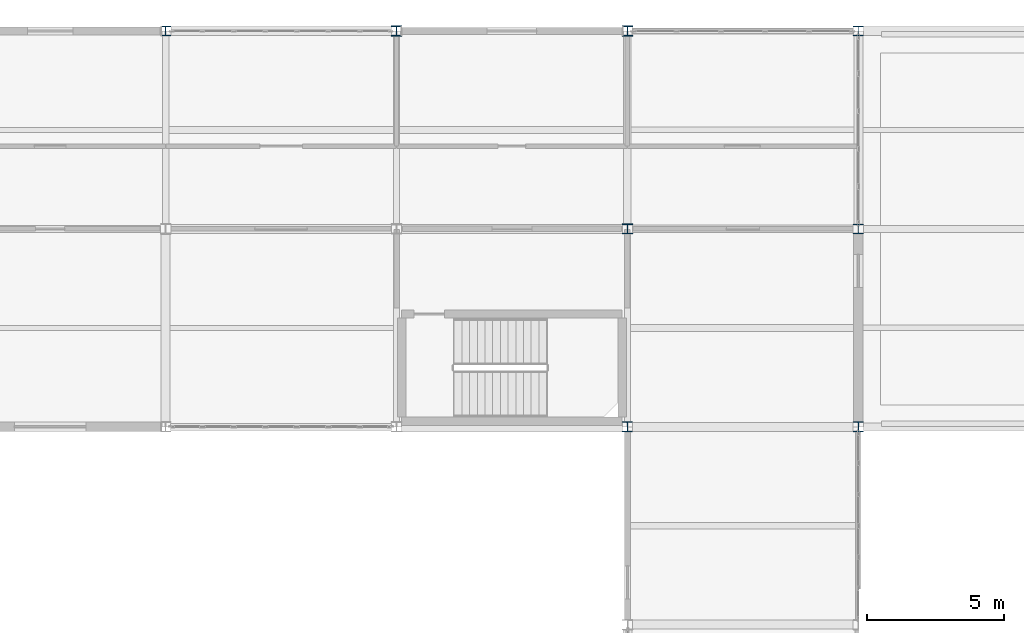
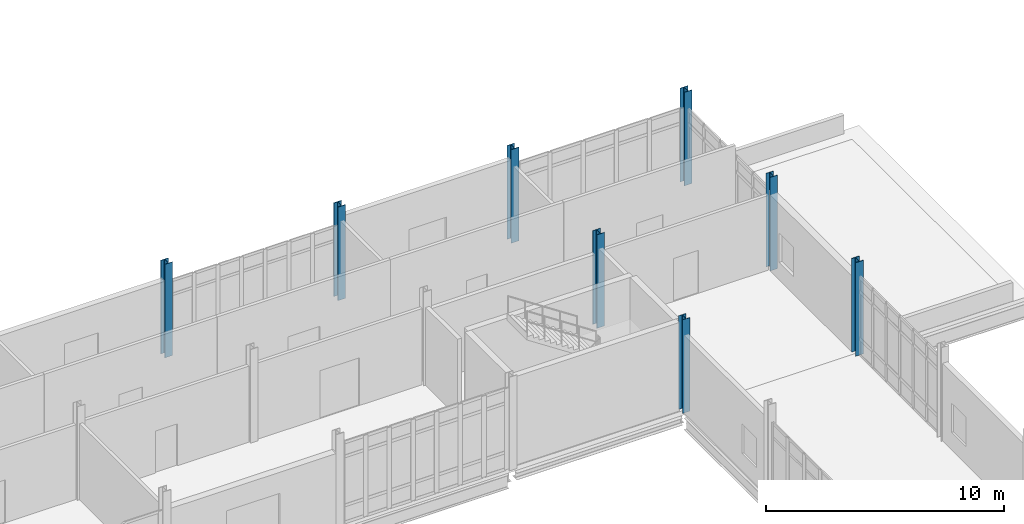
# One storey, part 13 of 186: 8 columns.
"""IFC4 building model written with IfcOpenShell, lengths in metres."""

from ifc_helpers import new_model, si_unit, direction, frame, origin, origin_2d, place, context, subcontext, project, spatial, i_section, extrude, material, material_profile, profile_set, type_object, element, save


model = new_model("IFC4")

# Units and contexts
model_context = context("Model", 3, precision=1e-05, world=origin(), true_north=direction((0.0, 1.0)))
body_context = subcontext(model_context, "Body", "Model", "MODEL_VIEW")
ifc_project = project(units=[si_unit("LENGTHUNIT", "METRE"), si_unit("AREAUNIT", "SQUARE_METRE"), si_unit("VOLUMEUNIT", "CUBIC_METRE"), si_unit("PLANEANGLEUNIT", "RADIAN"), si_unit("MASSUNIT", "GRAM", prefix="KILO")], contexts=[model_context])

# Site, building, storey
site_placement = place(None, origin())
site = spatial("IfcSite", under=ifc_project, at=site_placement, CompositionType="ELEMENT")
building_placement = place(site_placement, origin())
building = spatial("IfcBuilding", under=site, at=building_placement, Name="Calvrana Isthmian Art Gallery", CompositionType="ELEMENT")
storey_placement = place(building_placement, frame((0.0, 0.0, 5.39990234375)))
storey = spatial("IfcBuildingStorey", under=building, at=storey_placement, Name="L01", CompositionType="ELEMENT", Elevation=5.39990234375)

# Columns
ifc_material = material(Name="Steel ASTM A992 Gr 50", Category="steel")
ifc_material_profile_1 = material_profile(ifc_material, i_section(OverallWidth=0.37109375, OverallDepth=0.363037109375, WebThickness=0.01318359375, FlangeThickness=0.021728515625, FilletRadius=0.02490234375, at=origin_2d()), Name="W14X109")
ifc_profile_set_1 = profile_set([ifc_material_profile_1], Name="Steel ASTM A992 Gr 50")
column_type_1 = type_object("IfcColumnType", Name="COL-STL-W14X109", PredefinedType="COLUMN", material=ifc_profile_set_1)
for number, where, z_axis, x_axis, name in (
    (1, (55.199951171875, 105.60009765625, 0.0), (0.0, 0.0, 1.0), (1.0, 0.0, 0.0), "Column 08/O L01"),
    (2, (63.60009765625, 112.800048828125, 0.0), (0.0, 0.0, 1.0), (1.0, 0.0, 0.0), "Column 09/P L01"),
):
    element("IfcColumn", number, at=place(storey_placement, frame(where, z_axis=z_axis, x_axis=x_axis)), inside=storey, type_object=column_type_1, Name=name, PredefinedType="COLUMN", context=body_context, shape_type="SweptSolid", body=[
        extrude(i_section(OverallWidth=0.37109375, OverallDepth=0.363037109375, WebThickness=0.01318359375, FlangeThickness=0.021728515625, FilletRadius=0.02490234375, at=origin_2d()), origin(), (0.0, 0.0, 1.0), 4.800048828125),
    ])
ifc_material_profile_2 = material_profile(ifc_material, i_section(OverallWidth=0.373046875, OverallDepth=0.367919921875, WebThickness=0.014892578125, FlangeThickness=0.02392578125, FilletRadius=0.02490234375, at=origin_2d()), Name="W14X120")
ifc_profile_set_2 = profile_set([ifc_material_profile_2], Name="Steel ASTM A992 Gr 50")
column_type_2 = type_object("IfcColumnType", Name="COL-STL-W14X120", PredefinedType="COLUMN", material=ifc_profile_set_2)
column_placement = place(storey_placement, frame((55.199951171875, 112.800048828125, 0.0), z_axis=(0.0, 0.0, 1.0), x_axis=(1.0, 0.0, 0.0)))
element("IfcColumn", 3, at=column_placement, inside=storey, type_object=column_type_2, Name="Column 08/P L01", PredefinedType="COLUMN", context=body_context, shape_type="SweptSolid", body=[
    extrude(i_section(OverallWidth=0.373046875, OverallDepth=0.367919921875, WebThickness=0.014892578125, FlangeThickness=0.02392578125, FilletRadius=0.02490234375, at=origin_2d()), origin(), (0.0, 0.0, 1.0), 4.800048828125),
])
ifc_material_profile_3 = material_profile(ifc_material, i_section(OverallWidth=0.373046875, OverallDepth=0.373046875, WebThickness=0.016357421875, FlangeThickness=0.026123046875, FilletRadius=0.02490234375, at=origin_2d()), Name="W14X132")
ifc_profile_set_3 = profile_set([ifc_material_profile_3], Name="Steel ASTM A992 Gr 50")
column_type_3 = type_object("IfcColumnType", Name="COL-STL-W14X132", PredefinedType="COLUMN", material=ifc_profile_set_3)
for number, where, z_axis, x_axis, name in (
    (4, (46.800048828125, 112.800048828125, 0.0), (0.0, 0.0, 1.0), (1.0, 0.0, 0.0), "Column 07/P L01"),
    (5, (63.60009765625, 98.39990234375, 0.0), (0.0, 0.0, 1.0), (1.0, 0.0, 0.0), "Column 09/N L01"),
):
    element("IfcColumn", number, at=place(storey_placement, frame(where, z_axis=z_axis, x_axis=x_axis)), inside=storey, type_object=column_type_3, Name=name, PredefinedType="COLUMN", context=body_context, shape_type="SweptSolid", body=[
        extrude(i_section(OverallWidth=0.373046875, OverallDepth=0.373046875, WebThickness=0.016357421875, FlangeThickness=0.026123046875, FilletRadius=0.02490234375, at=origin_2d()), origin(), (0.0, 0.0, 1.0), 4.800048828125),
    ])
ifc_material_profile_4 = material_profile(ifc_material, i_section(OverallWidth=0.367919921875, OverallDepth=0.35595703125, WebThickness=0.01123046875, FlangeThickness=0.01806640625, FilletRadius=0.02490234375, at=origin_2d()), Name="W14X90")
ifc_profile_set_4 = profile_set([ifc_material_profile_4], Name="Steel ASTM A992 Gr 50")
column_type_4 = type_object("IfcColumnType", Name="COL-STL-W14X90", PredefinedType="COLUMN", material=ifc_profile_set_4)
for number, where, z_axis, x_axis, name in (
    (6, (38.39990234375, 112.800048828125, 0.0), (0.0, 0.0, 1.0), (1.0, 0.0, 0.0), "Column 06/P L01"),
    (7, (55.199951171875, 98.39990234375, 0.0), (0.0, 0.0, 1.0), (1.0, 0.0, 0.0), "Column 08/N L01"),
    (8, (63.60009765625, 105.60009765625, 0.0), (0.0, 0.0, 1.0), (1.0, 0.0, 0.0), "Column 09/O L01"),
):
    element("IfcColumn", number, at=place(storey_placement, frame(where, z_axis=z_axis, x_axis=x_axis)), inside=storey, type_object=column_type_4, Name=name, PredefinedType="COLUMN", context=body_context, shape_type="SweptSolid", body=[
        extrude(i_section(OverallWidth=0.367919921875, OverallDepth=0.35595703125, WebThickness=0.01123046875, FlangeThickness=0.01806640625, FilletRadius=0.02490234375, at=origin_2d()), origin(), (0.0, 0.0, 1.0), 4.800048828125),
    ])

save(model, "model.ifc")
